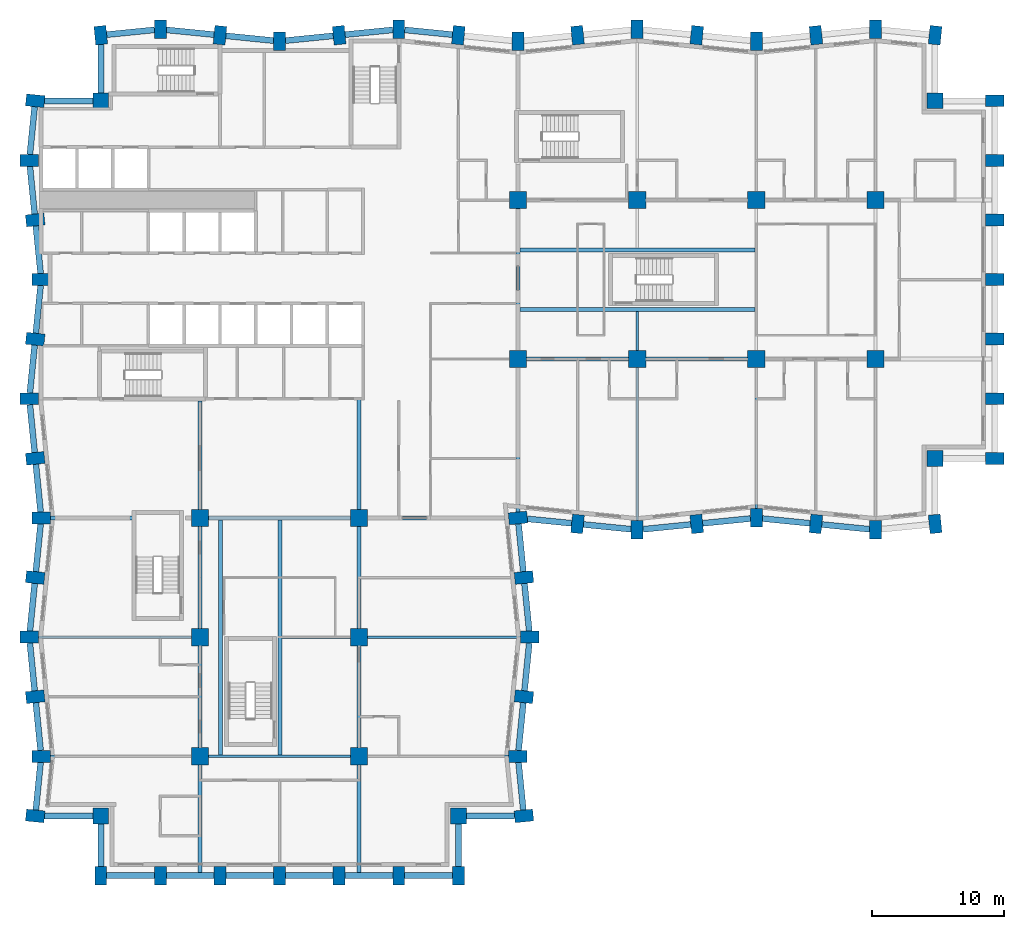
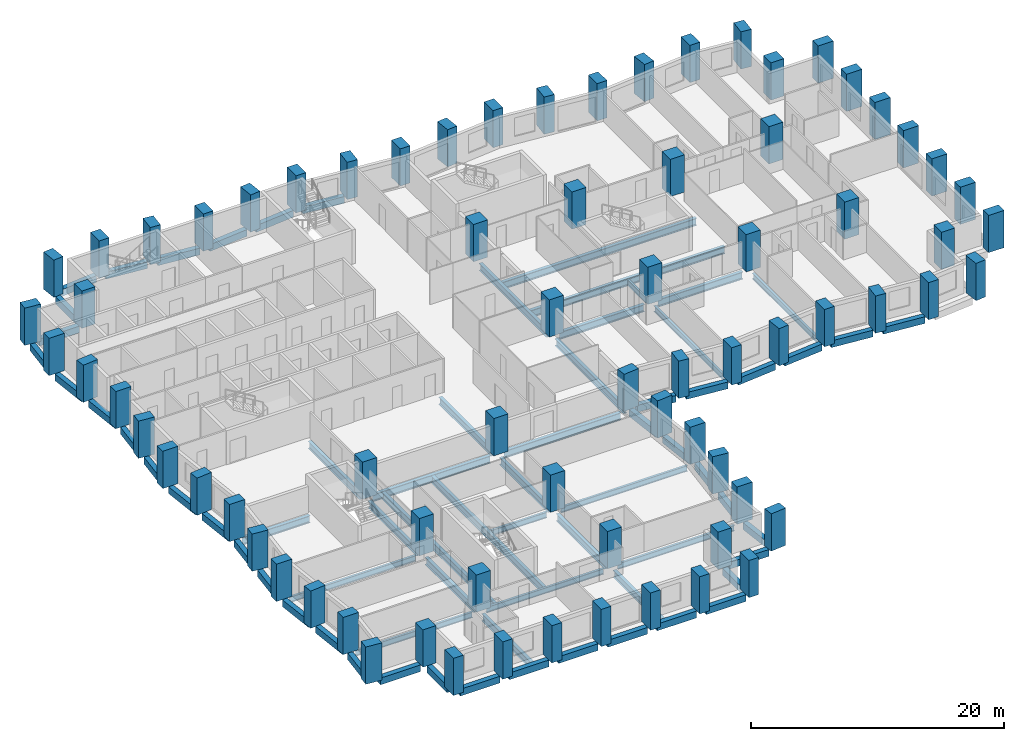
# One storey, part 1 of 13: 74 columns, 69 beams.
"""IFC4 building model written with IfcOpenShell, lengths in metres."""

from ifc_helpers import new_model, si_unit, direction, frame, origin, origin_2d, place, context, subcontext, project, spatial, rectangle, i_section, extrude, material, material_profile, profile_set, type_object, element, save


model = new_model("IFC4")

# Units and contexts
model_context = context("Model", 3, precision=1e-05, world=origin(), true_north=direction((0.0, 1.0)))
body_context = subcontext(model_context, "Body", "Model", "MODEL_VIEW")
ifc_project = project(units=[si_unit("LENGTHUNIT", "METRE"), si_unit("AREAUNIT", "SQUARE_METRE"), si_unit("VOLUMEUNIT", "CUBIC_METRE"), si_unit("PLANEANGLEUNIT", "RADIAN"), si_unit("MASSUNIT", "GRAM", prefix="KILO")], contexts=[model_context])

# Site, building, storey
site_placement = place(None, origin())
site = spatial("IfcSite", under=ifc_project, at=site_placement, CompositionType="ELEMENT")
building_placement = place(site_placement, origin())
building = spatial("IfcBuilding", under=site, at=building_placement, Name="Brondeck Convention Tower", CompositionType="ELEMENT")
storey_placement = place(building_placement, frame((0.0, 0.0, 69.89990234375)))
storey = spatial("IfcBuildingStorey", under=building, at=storey_placement, Name="L15", CompositionType="ELEMENT", Elevation=69.89990234375)

# Columns
ifc_material_1 = material(Name="Concrete C80/95", Category="concrete")
ifc_material_profile_1 = material_profile(ifc_material_1, rectangle(XDim=1.199951171875, YDim=1.199951171875, at=origin_2d()), Name="Corner column 1200x1200 Concrete C80/95")
ifc_profile_set_1 = profile_set([ifc_material_profile_1], Name="Concrete C80/95")
column_type_1 = type_object("IfcColumnType", Name="Corner column 1200x1200 Concrete C80/95", PredefinedType="COLUMN", material=ifc_profile_set_1)
for number, where, z_axis, x_axis, name in (
    (1, (4.5, 4.5, 0.0), (0.0, 0.0, 1.0), (1.0, 0.0, 0.0), "STR-COL-L15-NC-SWB0"),
    (2, (31.5, 4.5, 0.0), (0.0, 0.0, 1.0), (1.0, 0.0, 0.0), "STR-COL-L15-NC-SEB0"),
    (3, (67.5, 31.5, 0.0), (0.0, 0.0, 1.0), (1.0, 0.0, 0.0), "STR-COL-L15-NC-SEA72"),
    (4, (67.5, 58.5, 0.0), (0.0, 0.0, 1.0), (1.0, 0.0, 0.0), "STR-COL-L15-NC-NEA72"),
    (5, (4.5, 58.5, 0.0), (0.0, 0.0, 1.0), (1.0, 0.0, 0.0), "STR-COL-L15-NC-NW"),
):
    element("IfcColumn", number, at=place(storey_placement, frame(where, z_axis=z_axis, x_axis=x_axis)), inside=storey, type_object=column_type_1, Name=name, PredefinedType="COLUMN", context=body_context, shape_type="SweptSolid", body=[
        extrude(rectangle(XDim=1.199951171875, YDim=1.199951171875, at=origin_2d()), origin(), (0.0, 0.0, 1.0), 3.60009765625),
    ])
ifc_material_profile_2 = material_profile(ifc_material_1, rectangle(XDim=1.300048828125, YDim=1.300048828125, at=origin_2d()), Name="Interior column 1300x1300 Concrete C80/95")
ifc_profile_set_2 = profile_set([ifc_material_profile_2], Name="Concrete C80/95")
column_type_2 = type_object("IfcColumnType", Name="Interior column 1300x1300 Concrete C80/95", PredefinedType="COLUMN", material=ifc_profile_set_2)
for number, where, z_axis, x_axis, name in (
    (6, (12.0, 9.0, 0.0), (0.0, 0.0, 1.0), (1.0, 0.0, 0.0), "STR-COL-L15-IC-01"),
    (7, (12.0, 18.0, 0.0), (0.0, 0.0, 1.0), (1.0, 0.0, 0.0), "STR-COL-L15-IC-02"),
    (8, (12.0, 27.0, 0.0), (0.0, 0.0, 1.0), (1.0, 0.0, 0.0), "STR-COL-L15-IC-03"),
    (9, (24.0, 9.0, 0.0), (0.0, 0.0, 1.0), (1.0, 0.0, 0.0), "STR-COL-L15-IC-04"),
    (10, (24.0, 18.0, 0.0), (0.0, 0.0, 1.0), (1.0, 0.0, 0.0), "STR-COL-L15-IC-05"),
    (11, (24.0, 27.0, 0.0), (0.0, 0.0, 1.0), (1.0, 0.0, 0.0), "STR-COL-L15-IC-06"),
    (12, (36.0, 39.0, 0.0), (0.0, 0.0, 1.0), (1.0, 0.0, 0.0), "STR-COL-L15-IC-07"),
    (13, (36.0, 51.0, 0.0), (0.0, 0.0, 1.0), (1.0, 0.0, 0.0), "STR-COL-L15-IC-08"),
    (14, (45.0, 39.0, 0.0), (0.0, 0.0, 1.0), (1.0, 0.0, 0.0), "STR-COL-L15-IC-09"),
    (15, (45.0, 51.0, 0.0), (0.0, 0.0, 1.0), (1.0, 0.0, 0.0), "STR-COL-L15-IC-10"),
    (16, (54.0, 39.0, 0.0), (0.0, 0.0, 1.0), (1.0, 0.0, 0.0), "STR-COL-L15-IC-11"),
    (17, (54.0, 51.0, 0.0), (0.0, 0.0, 1.0), (1.0, 0.0, 0.0), "STR-COL-L15-IC-12"),
    (18, (63.0, 39.0, 0.0), (0.0, 0.0, 1.0), (1.0, 0.0, 0.0), "STR-COL-L15-IC-13"),
    (19, (63.0, 51.0, 0.0), (0.0, 0.0, 1.0), (1.0, 0.0, 0.0), "STR-COL-L15-IC-14"),
):
    element("IfcColumn", number, at=place(storey_placement, frame(where, z_axis=z_axis, x_axis=x_axis)), inside=storey, type_object=column_type_2, Name=name, PredefinedType="COLUMN", context=body_context, shape_type="SweptSolid", body=[
        extrude(rectangle(XDim=1.300048828125, YDim=1.300048828125, at=origin_2d()), origin(), (0.0, 0.0, 1.0), 3.60009765625),
    ])
ifc_material_profile_3 = material_profile(ifc_material_1, rectangle(XDim=0.89990234375, YDim=1.39990234375, at=origin_2d()), Name="Perimeter pier 900x1400 Concrete C80/95")
ifc_profile_set_3 = profile_set([ifc_material_profile_3], Name="Concrete C80/95")
column_type_3 = type_object("IfcColumnType", Name="Perimeter pier 900x1400 Concrete C80/95", PredefinedType="COLUMN", material=ifc_profile_set_3)
for number, where, z_axis, x_axis, name in (
    (20, (4.5, 0.0, 0.0), (0.0, 0.0, 1.0), (1.0, 0.0, 0.0), "STR-COL-L15-PC-B-S0-01"),
    (21, (9.0, 0.0, 0.0), (0.0, 0.0, 1.0), (1.0, 0.0, 0.0), "STR-COL-L15-PC-B-S0-02"),
    (22, (13.5, 0.0, 0.0), (0.0, 0.0, 1.0), (1.0, 0.0, 0.0), "STR-COL-L15-PC-B-S0-03"),
    (23, (18.0, 0.0, 0.0), (0.0, 0.0, 1.0), (1.0, 0.0, 0.0), "STR-COL-L15-PC-B-S0-04"),
    (24, (22.5, 0.0, 0.0), (0.0, 0.0, 1.0), (1.0, 0.0, 0.0), "STR-COL-L15-PC-B-S0-05"),
    (25, (27.0, 0.0, 0.0), (0.0, 0.0, 1.0), (1.0, 0.0, 0.0), "STR-COL-L15-PC-B-S0-06"),
    (26, (31.5, 0.0, 0.0), (0.0, 0.0, 1.0), (1.0, 0.0, 0.0), "STR-COL-L15-PC-B-S0-07"),
    (27, (36.449951171875, 4.5, 0.0), (0.0, 0.0, 1.0), (-0.0995038382, 0.995037178292, 0.0), "STR-COL-L15-PC-B-E-05"),
    (28, (36.0, 9.0, 0.0), (0.0, 0.0, 1.0), (0.0, 1.0, 0.0), "STR-COL-L15-PC-B-E-04"),
    (29, (36.449951171875, 13.5, 0.0), (0.0, 0.0, 1.0), (0.0995038382, 0.995037178292, 0.0), "STR-COL-L15-PC-B-E-03"),
    (30, (36.89990234375, 18.0, 0.0), (0.0, 0.0, 1.0), (0.0, 1.0, 0.0), "STR-COL-L15-PC-B-E-02"),
    (31, (36.449951171875, 22.5, 0.0), (0.0, 0.0, 1.0), (-0.0995038382, 0.995037178292, 0.0), "STR-COL-L15-PC-B-E-01"),
    (32, (36.0, 27.0, 0.0), (0.0, 0.0, 1.0), (-0.0995038382, 0.995037178292, 0.0), "STR-COL-L15-PC-B-E-00"),
    (33, (40.5, 26.550048828125, 0.0), (0.0, 0.0, 1.0), (0.995037178292, -0.0995038382, 0.0), "STR-COL-L15-PC-A-S-01"),
    (34, (45.0, 26.10009765625, 0.0), (0.0, 0.0, 1.0), (1.0, 0.0, 0.0), "STR-COL-L15-PC-A-S-02"),
    (35, (49.5, 26.550048828125, 0.0), (0.0, 0.0, 1.0), (0.995037178292, 0.0995038382, 0.0), "STR-COL-L15-PC-A-S-03"),
    (36, (54.0, 27.0, 0.0), (0.0, 0.0, 1.0), (1.0, 0.0, 0.0), "STR-COL-L15-PC-A-S-04"),
    (37, (58.5, 26.550048828125, 0.0), (0.0, 0.0, 1.0), (0.995037178292, -0.0995038382, 0.0), "STR-COL-L15-PC-A-S-05"),
    (38, (63.0, 26.10009765625, 0.0), (0.0, 0.0, 1.0), (1.0, 0.0, 0.0), "STR-COL-L15-PC-A-S-06"),
    (39, (67.5, 26.550048828125, 0.0), (0.0, 0.0, 1.0), (0.995037178292, 0.0995038382, 0.0), "STR-COL-L15-PC-A-S-07"),
    (40, (72.0, 31.5, 0.0), (0.0, 0.0, 1.0), (0.0, 1.0, 0.0), "STR-COL-L15-PC-A-E72-01"),
    (41, (72.0, 36.0, 0.0), (0.0, 0.0, 1.0), (0.0, 1.0, 0.0), "STR-COL-L15-PC-A-E72-02"),
    (42, (72.0, 40.5, 0.0), (0.0, 0.0, 1.0), (0.0, 1.0, 0.0), "STR-COL-L15-PC-A-E72-03"),
    (43, (72.0, 45.0, 0.0), (0.0, 0.0, 1.0), (0.0, 1.0, 0.0), "STR-COL-L15-PC-A-E72-04"),
    (44, (72.0, 49.5, 0.0), (0.0, 0.0, 1.0), (0.0, 1.0, 0.0), "STR-COL-L15-PC-A-E72-05"),
    (45, (72.0, 54.0, 0.0), (0.0, 0.0, 1.0), (0.0, 1.0, 0.0), "STR-COL-L15-PC-A-E72-06"),
    (46, (72.0, 58.5, 0.0), (0.0, 0.0, 1.0), (0.0, 1.0, 0.0), "STR-COL-L15-PC-A-E72-07"),
    (47, (67.5, 63.449951171875, 0.0), (0.0, 0.0, 1.0), (-0.995037178292, 0.0995038382, 0.0), "STR-COL-L15-PC-A-N-15"),
    (48, (63.0, 63.89990234375, 0.0), (0.0, 0.0, 1.0), (-1.0, 0.0, 0.0), "STR-COL-L15-PC-A-N-14"),
    (49, (58.5, 63.449951171875, 0.0), (0.0, 0.0, 1.0), (-0.995037178292, -0.0995038382, 0.0), "STR-COL-L15-PC-A-N-13"),
    (50, (54.0, 63.0, 0.0), (0.0, 0.0, 1.0), (-1.0, 0.0, 0.0), "STR-COL-L15-PC-A-N-12"),
    (51, (49.5, 63.449951171875, 0.0), (0.0, 0.0, 1.0), (-0.995037178292, 0.0995038382, 0.0), "STR-COL-L15-PC-A-N-11"),
    (52, (45.0, 63.89990234375, 0.0), (0.0, 0.0, 1.0), (-1.0, 0.0, 0.0), "STR-COL-L15-PC-A-N-10"),
    (53, (40.5, 63.449951171875, 0.0), (0.0, 0.0, 1.0), (-0.995037178292, -0.0995038382, 0.0), "STR-COL-L15-PC-A-N-09"),
    (54, (36.0, 63.0, 0.0), (0.0, 0.0, 1.0), (-1.0, 0.0, 0.0), "STR-COL-L15-PC-A-N-08"),
    (55, (31.5, 63.449951171875, 0.0), (0.0, 0.0, 1.0), (-0.995037178292, 0.0995038382, 0.0), "STR-COL-L15-PC-A-N-07"),
    (56, (27.0, 63.89990234375, 0.0), (0.0, 0.0, 1.0), (-1.0, 0.0, 0.0), "STR-COL-L15-PC-A-N-06"),
    (57, (22.5, 63.449951171875, 0.0), (0.0, 0.0, 1.0), (-0.995037178292, -0.0995038382, 0.0), "STR-COL-L15-PC-A-N-05"),
    (58, (18.0, 63.0, 0.0), (0.0, 0.0, 1.0), (-1.0, 0.0, 0.0), "STR-COL-L15-PC-A-N-04"),
    (59, (13.5, 63.449951171875, 0.0), (0.0, 0.0, 1.0), (-0.995037178292, 0.0995038382, 0.0), "STR-COL-L15-PC-A-N-03"),
    (60, (9.0, 63.89990234375, 0.0), (0.0, 0.0, 1.0), (-1.0, 0.0, 0.0), "STR-COL-L15-PC-A-N-02"),
    (61, (4.5, 63.449951171875, 0.0), (0.0, 0.0, 1.0), (-0.995037178292, -0.0995038382, 0.0), "STR-COL-L15-PC-A-N-01"),
    (62, (-0.449951171875, 58.5, 0.0), (0.0, 0.0, 1.0), (-0.0995038382, -0.995037178292, 0.0), "STR-COL-L15-PC-B-W-01"),
    (63, (-0.89990234375, 54.0, 0.0), (0.0, 0.0, 1.0), (0.0, -1.0, 0.0), "STR-COL-L15-PC-B-W-02"),
    (64, (-0.449951171875, 49.5, 0.0), (0.0, 0.0, 1.0), (0.0995038382, -0.995037178292, 0.0), "STR-COL-L15-PC-B-W-03"),
    (65, (0.0, 45.0, 0.0), (0.0, 0.0, 1.0), (0.0, -1.0, 0.0), "STR-COL-L15-PC-B-W-04"),
    (66, (-0.449951171875, 40.5, 0.0), (0.0, 0.0, 1.0), (-0.0995038382, -0.995037178292, 0.0), "STR-COL-L15-PC-B-W-05"),
    (67, (-0.89990234375, 36.0, 0.0), (0.0, 0.0, 1.0), (0.0, -1.0, 0.0), "STR-COL-L15-PC-B-W-06"),
    (68, (-0.449951171875, 31.5, 0.0), (0.0, 0.0, 1.0), (0.0995038382, -0.995037178292, 0.0), "STR-COL-L15-PC-B-W-07"),
    (69, (0.0, 27.0, 0.0), (0.0, 0.0, 1.0), (0.0, -1.0, 0.0), "STR-COL-L15-PC-B-W-08"),
    (70, (-0.449951171875, 22.5, 0.0), (0.0, 0.0, 1.0), (-0.0995038382, -0.995037178292, 0.0), "STR-COL-L15-PC-B-W-09"),
    (71, (-0.89990234375, 18.0, 0.0), (0.0, 0.0, 1.0), (0.0, -1.0, 0.0), "STR-COL-L15-PC-B-W-10"),
    (72, (-0.449951171875, 13.5, 0.0), (0.0, 0.0, 1.0), (0.0995038382, -0.995037178292, 0.0), "STR-COL-L15-PC-B-W-11"),
    (73, (0.0, 9.0, 0.0), (0.0, 0.0, 1.0), (0.0, -1.0, 0.0), "STR-COL-L15-PC-B-W-12"),
    (74, (-0.449951171875, 4.5, 0.0), (0.0, 0.0, 1.0), (-0.0995038382, -0.995037178292, 0.0), "STR-COL-L15-PC-B-W-13"),
):
    element("IfcColumn", number, at=place(storey_placement, frame(where, z_axis=z_axis, x_axis=x_axis)), inside=storey, type_object=column_type_3, Name=name, PredefinedType="COLUMN", context=body_context, shape_type="SweptSolid", body=[
        extrude(rectangle(XDim=0.89990234375, YDim=1.39990234375, at=origin_2d()), origin(), (0.0, 0.0, 1.0), 3.60009765625),
    ])

# Beams
ifc_material_2 = material(Name="Steel S355", Category="steel")
ifc_material_profile_4 = material_profile(ifc_material_2, i_section(OverallWidth=0.2099609375, OverallDepth=0.550048828125, WebThickness=0.010986328125, FlangeThickness=0.01708984375, FilletRadius=0.02392578125, at=origin_2d()), Name="IPE 550")
ifc_profile_set_4 = profile_set([ifc_material_profile_4], Name="Steel S355")
beam_type_1 = type_object("IfcBeamType", Name="Floor beam IPE 550", PredefinedType="BEAM", material=ifc_profile_set_4)
beam_1_placement = place(storey_placement, frame((45.0, 26.800048828125, -0.574951171875), z_axis=(0.0, 1.0, 0.0), x_axis=(-1.0, 0.0, 0.0)))
element("IfcBeam", 75, at=beam_1_placement, inside=storey, type_object=beam_type_1, Name="STR-FB-L15-001", PredefinedType="BEAM", context=body_context, shape_type="SweptSolid", body=[
    extrude(i_section(OverallWidth=0.2099609375, OverallDepth=0.550048828125, WebThickness=0.010986328125, FlangeThickness=0.01708984375, FilletRadius=0.02392578125, at=origin_2d()), origin(), (0.0, 0.0, 1.0), 11.550048828125),
])
for number, where, z_axis, x_axis, name in (
    (76, (54.0, 27.699951171875, -0.574951171875), (0.0, 1.0, 0.0), (-1.0, 0.0, 0.0), "STR-FB-L15-003"),
    (77, (0.699951171875, 9.0, -0.574951171875), (1.0, 0.0, 0.0), (0.0, 1.0, 0.0), "STR-FB-L15-009"),
):
    element("IfcBeam", number, at=place(storey_placement, frame(where, z_axis=z_axis, x_axis=x_axis)), inside=storey, type_object=beam_type_1, Name=name, PredefinedType="BEAM", context=body_context, shape_type="SweptSolid", body=[
        extrude(i_section(OverallWidth=0.2099609375, OverallDepth=0.550048828125, WebThickness=0.010986328125, FlangeThickness=0.01708984375, FilletRadius=0.02392578125, at=origin_2d()), origin(), (0.0, 0.0, 1.0), 10.650146484375),
    ])
beam_2_placement = place(storey_placement, frame((12.64990234375, 9.0, -0.574951171875), z_axis=(1.0, 0.0, 0.0), x_axis=(0.0, 1.0, 0.0)))
element("IfcBeam", 78, at=beam_2_placement, inside=storey, type_object=beam_type_1, Name="STR-FB-L15-010", PredefinedType="BEAM", context=body_context, shape_type="SweptSolid", body=[
    extrude(i_section(OverallWidth=0.2099609375, OverallDepth=0.550048828125, WebThickness=0.010986328125, FlangeThickness=0.01708984375, FilletRadius=0.02392578125, at=origin_2d()), origin(), (0.0, 0.0, 1.0), 10.7001953125),
])
beam_3_placement = place(storey_placement, frame((24.64990234375, 9.0, -0.574951171875), z_axis=(1.0, 0.0, 0.0), x_axis=(0.0, 1.0, 0.0)))
element("IfcBeam", 79, at=beam_3_placement, inside=storey, type_object=beam_type_1, Name="STR-FB-L15-011", PredefinedType="BEAM", context=body_context, shape_type="SweptSolid", body=[
    extrude(i_section(OverallWidth=0.2099609375, OverallDepth=0.550048828125, WebThickness=0.010986328125, FlangeThickness=0.01708984375, FilletRadius=0.02392578125, at=origin_2d()), origin(), (0.0, 0.0, 1.0), 10.650146484375),
])
for number, where, z_axis, x_axis, name in (
    (80, (-0.199951171875, 18.0, -0.574951171875), (1.0, 0.0, 0.0), (0.0, 1.0, 0.0), "STR-FB-L15-012"),
    (81, (24.64990234375, 18.0, -0.574951171875), (1.0, 0.0, 0.0), (0.0, 1.0, 0.0), "STR-FB-L15-013"),
):
    element("IfcBeam", number, at=place(storey_placement, frame(where, z_axis=z_axis, x_axis=x_axis)), inside=storey, type_object=beam_type_1, Name=name, PredefinedType="BEAM", context=body_context, shape_type="SweptSolid", body=[
        extrude(i_section(OverallWidth=0.2099609375, OverallDepth=0.550048828125, WebThickness=0.010986328125, FlangeThickness=0.01708984375, FilletRadius=0.02392578125, at=origin_2d()), origin(), (0.0, 0.0, 1.0), 11.550048828125),
    ])
beam_4_placement = place(storey_placement, frame((45.0, 39.64990234375, -0.574951171875), z_axis=(0.0, 1.0, 0.0), x_axis=(-1.0, 0.0, 0.0)))
element("IfcBeam", 82, at=beam_4_placement, inside=storey, type_object=beam_type_1, Name="STR-FB-L15-014", PredefinedType="BEAM", context=body_context, shape_type="SweptSolid", body=[
    extrude(i_section(OverallWidth=0.2099609375, OverallDepth=0.550048828125, WebThickness=0.010986328125, FlangeThickness=0.01708984375, FilletRadius=0.02392578125, at=origin_2d()), origin(), (0.0, 0.0, 1.0), 2.9501953125),
])
beam_5_placement = place(storey_placement, frame((18.199951171875, 18.0, -0.574951171875), z_axis=(1.0, 0.0, 0.0), x_axis=(0.0, 1.0, 0.0)))
element("IfcBeam", 83, at=beam_5_placement, inside=storey, type_object=beam_type_1, Name="STR-FB-L15-016", PredefinedType="BEAM", context=body_context, shape_type="SweptSolid", body=[
    extrude(i_section(OverallWidth=0.2099609375, OverallDepth=0.550048828125, WebThickness=0.010986328125, FlangeThickness=0.01708984375, FilletRadius=0.02392578125, at=origin_2d()), origin(), (0.0, 0.0, 1.0), 5.150146484375),
])
ifc_material_profile_5 = material_profile(ifc_material_2, i_section(OverallWidth=0.300048828125, OverallDepth=0.699951171875, WebThickness=0.01708984375, FlangeThickness=0.031982421875, FilletRadius=0.027099609375, at=origin_2d()), Name="HEB 700")
ifc_profile_set_5 = profile_set([ifc_material_profile_5], Name="Steel S355")
beam_type_2 = type_object("IfcBeamType", Name="Girder HEB 700", PredefinedType="BEAM", material=ifc_profile_set_5)
for number, where, z_axis, x_axis, name in (
    (84, (36.64990234375, 39.0, -0.64990234375), (1.0, 0.0, 0.0), (0.0, 1.0, 0.0), "STR-GR-L15-001"),
    (85, (45.64990234375, 39.0, -0.64990234375), (1.0, 0.0, 0.0), (0.0, 1.0, 0.0), "STR-GR-L15-002"),
):
    element("IfcBeam", number, at=place(storey_placement, frame(where, z_axis=z_axis, x_axis=x_axis)), inside=storey, type_object=beam_type_2, Name=name, PredefinedType="BEAM", context=body_context, shape_type="SweptSolid", body=[
        extrude(i_section(OverallWidth=0.300048828125, OverallDepth=0.699951171875, WebThickness=0.01708984375, FlangeThickness=0.031982421875, FilletRadius=0.027099609375, at=origin_2d()), origin(), (0.0, 0.0, 1.0), 7.7001953125),
    ])
beam_6_placement = place(storey_placement, frame((36.0, 27.4521484375, -0.64990234375), z_axis=(0.0, 1.0, 0.0), x_axis=(-1.0, 0.0, 0.0)))
element("IfcBeam", 86, at=beam_6_placement, inside=storey, type_object=beam_type_2, Name="STR-GR-L15-009", PredefinedType="BEAM", context=body_context, shape_type="SweptSolid", body=[
    extrude(i_section(OverallWidth=0.300048828125, OverallDepth=0.699951171875, WebThickness=0.01708984375, FlangeThickness=0.031982421875, FilletRadius=0.027099609375, at=origin_2d()), origin(), (0.0, 0.0, 1.0), 10.89794921875),
])
beam_7_placement = place(storey_placement, frame((36.0, 39.64990234375, -0.64990234375), z_axis=(0.0, 1.0, 0.0), x_axis=(-1.0, 0.0, 0.0)))
element("IfcBeam", 87, at=beam_7_placement, inside=storey, type_object=beam_type_2, Name="STR-GR-L15-010", PredefinedType="BEAM", context=body_context, shape_type="SweptSolid", body=[
    extrude(i_section(OverallWidth=0.300048828125, OverallDepth=0.699951171875, WebThickness=0.01708984375, FlangeThickness=0.031982421875, FilletRadius=0.027099609375, at=origin_2d()), origin(), (0.0, 0.0, 1.0), 10.7001953125),
])
beam_8_placement = place(storey_placement, frame((12.0, 35.85009765625, -0.64990234375), z_axis=(0.0, -1.0, 0.0), x_axis=(1.0, 0.0, 0.0)))
element("IfcBeam", 88, at=beam_8_placement, inside=storey, type_object=beam_type_2, Name="STR-GR-L15-013", PredefinedType="BEAM", context=body_context, shape_type="SweptSolid", body=[
    extrude(i_section(OverallWidth=0.300048828125, OverallDepth=0.699951171875, WebThickness=0.01708984375, FlangeThickness=0.031982421875, FilletRadius=0.027099609375, at=origin_2d()), origin(), (0.0, 0.0, 1.0), 8.2001953125),
])
for number, where, z_axis, x_axis, name in (
    (89, (12.0, 26.35009765625, -0.64990234375), (0.0, -1.0, 0.0), (1.0, 0.0, 0.0), "STR-GR-L15-014"),
    (90, (12.0, 17.35009765625, -0.64990234375), (0.0, -1.0, 0.0), (1.0, 0.0, 0.0), "STR-GR-L15-015"),
):
    element("IfcBeam", number, at=place(storey_placement, frame(where, z_axis=z_axis, x_axis=x_axis)), inside=storey, type_object=beam_type_2, Name=name, PredefinedType="BEAM", context=body_context, shape_type="SweptSolid", body=[
        extrude(i_section(OverallWidth=0.300048828125, OverallDepth=0.699951171875, WebThickness=0.01708984375, FlangeThickness=0.031982421875, FilletRadius=0.027099609375, at=origin_2d()), origin(), (0.0, 0.0, 1.0), 7.7001953125),
    ])
beam_9_placement = place(storey_placement, frame((12.0, 8.35009765625, -0.64990234375), z_axis=(0.0, -1.0, 0.0), x_axis=(1.0, 0.0, 0.0)))
element("IfcBeam", 91, at=beam_9_placement, inside=storey, type_object=beam_type_2, Name="STR-GR-L15-016", PredefinedType="BEAM", context=body_context, shape_type="SweptSolid", body=[
    extrude(i_section(OverallWidth=0.300048828125, OverallDepth=0.699951171875, WebThickness=0.01708984375, FlangeThickness=0.031982421875, FilletRadius=0.027099609375, at=origin_2d()), origin(), (0.0, 0.0, 1.0), 8.125),
])
beam_10_placement = place(storey_placement, frame((24.0, 35.955078125, -0.64990234375), z_axis=(0.0, -1.0, 0.0), x_axis=(1.0, 0.0, 0.0)))
element("IfcBeam", 92, at=beam_10_placement, inside=storey, type_object=beam_type_2, Name="STR-GR-L15-017", PredefinedType="BEAM", context=body_context, shape_type="SweptSolid", body=[
    extrude(i_section(OverallWidth=0.300048828125, OverallDepth=0.699951171875, WebThickness=0.01708984375, FlangeThickness=0.031982421875, FilletRadius=0.027099609375, at=origin_2d()), origin(), (0.0, 0.0, 1.0), 8.30517578125),
])
for number, where, z_axis, x_axis, name in (
    (93, (24.0, 26.35009765625, -0.64990234375), (0.0, -1.0, 0.0), (1.0, 0.0, 0.0), "STR-GR-L15-018"),
    (94, (24.0, 17.35009765625, -0.64990234375), (0.0, -1.0, 0.0), (1.0, 0.0, 0.0), "STR-GR-L15-019"),
):
    element("IfcBeam", number, at=place(storey_placement, frame(where, z_axis=z_axis, x_axis=x_axis)), inside=storey, type_object=beam_type_2, Name=name, PredefinedType="BEAM", context=body_context, shape_type="SweptSolid", body=[
        extrude(i_section(OverallWidth=0.300048828125, OverallDepth=0.699951171875, WebThickness=0.01708984375, FlangeThickness=0.031982421875, FilletRadius=0.027099609375, at=origin_2d()), origin(), (0.0, 0.0, 1.0), 7.7001953125),
    ])
beam_11_placement = place(storey_placement, frame((24.0, 8.35009765625, -0.64990234375), z_axis=(0.0, -1.0, 0.0), x_axis=(1.0, 0.0, 0.0)))
element("IfcBeam", 95, at=beam_11_placement, inside=storey, type_object=beam_type_2, Name="STR-GR-L15-020", PredefinedType="BEAM", context=body_context, shape_type="SweptSolid", body=[
    extrude(i_section(OverallWidth=0.300048828125, OverallDepth=0.699951171875, WebThickness=0.01708984375, FlangeThickness=0.031982421875, FilletRadius=0.027099609375, at=origin_2d()), origin(), (0.0, 0.0, 1.0), 8.125),
])
beam_12_placement = place(storey_placement, frame((0.699951171875, 27.0, -0.64990234375), z_axis=(1.0, 0.0, 0.0), x_axis=(0.0, 1.0, 0.0)))
element("IfcBeam", 96, at=beam_12_placement, inside=storey, type_object=beam_type_2, Name="STR-GR-L15-021", PredefinedType="BEAM", context=body_context, shape_type="SweptSolid", body=[
    extrude(i_section(OverallWidth=0.300048828125, OverallDepth=0.699951171875, WebThickness=0.01708984375, FlangeThickness=0.031982421875, FilletRadius=0.027099609375, at=origin_2d()), origin(), (0.0, 0.0, 1.0), 6.179931640625),
])
beam_13_placement = place(storey_placement, frame((12.64990234375, 27.0, -0.64990234375), z_axis=(1.0, 0.0, 0.0), x_axis=(0.0, 1.0, 0.0)))
element("IfcBeam", 97, at=beam_13_placement, inside=storey, type_object=beam_type_2, Name="STR-GR-L15-022", PredefinedType="BEAM", context=body_context, shape_type="SweptSolid", body=[
    extrude(i_section(OverallWidth=0.300048828125, OverallDepth=0.699951171875, WebThickness=0.01708984375, FlangeThickness=0.031982421875, FilletRadius=0.027099609375, at=origin_2d()), origin(), (0.0, 0.0, 1.0), 10.7001953125),
])
beam_14_placement = place(storey_placement, frame((24.64990234375, 27.0, -0.64990234375), z_axis=(1.0, 0.0, 0.0), x_axis=(0.0, 1.0, 0.0)))
element("IfcBeam", 98, at=beam_14_placement, inside=storey, type_object=beam_type_2, Name="STR-GR-L15-023", PredefinedType="BEAM", context=body_context, shape_type="SweptSolid", body=[
    extrude(i_section(OverallWidth=0.300048828125, OverallDepth=0.699951171875, WebThickness=0.01708984375, FlangeThickness=0.031982421875, FilletRadius=0.027099609375, at=origin_2d()), origin(), (0.0, 0.0, 1.0), 10.646484375),
])
for number, where, z_axis, x_axis, name in (
    (99, (36.14990234375, 42.75, -0.64990234375), (1.0, 0.0, 0.0), (0.0, 1.0, 0.0), "STR-GR-L15-024"),
    (100, (36.14990234375, 47.25, -0.64990234375), (1.0, 0.0, 0.0), (0.0, 1.0, 0.0), "STR-GR-L15-025"),
    (101, (13.550048828125, 9.10498046875, -0.64990234375), (0.0, 1.0, 0.0), (-1.0, 0.0, 0.0), "STR-GR-L15-026"),
    (102, (18.050048828125, 9.10498046875, -0.64990234375), (0.0, 1.0, 0.0), (-1.0, 0.0, 0.0), "STR-GR-L15-027"),
):
    element("IfcBeam", number, at=place(storey_placement, frame(where, z_axis=z_axis, x_axis=x_axis)), inside=storey, type_object=beam_type_2, Name=name, PredefinedType="BEAM", context=body_context, shape_type="SweptSolid", body=[
        extrude(i_section(OverallWidth=0.300048828125, OverallDepth=0.699951171875, WebThickness=0.01708984375, FlangeThickness=0.031982421875, FilletRadius=0.027099609375, at=origin_2d()), origin(), (0.0, 0.0, 1.0), 17.7451171875),
    ])
ifc_material_profile_6 = material_profile(ifc_material_1, rectangle(XDim=0.449951171875, YDim=0.64990234375, at=origin_2d()), Name="Precast spandrel 450x650 Concrete C80/95")
ifc_profile_set_6 = profile_set([ifc_material_profile_6], Name="Concrete C80/95")
beam_type_3 = type_object("IfcBeamType", Name="Precast spandrel 450x650 Concrete C80/95", PredefinedType="SPANDREL", material=ifc_profile_set_6)
for number, where, z_axis, x_axis, name in (
    (103, (4.949951171875, 0.0, -0.324951171875), (1.0, 0.0, 0.0), (0.0, 1.0, 0.0), "STR-SP-L15-001"),
    (104, (9.449951171875, 0.0, -0.324951171875), (1.0, 0.0, 0.0), (0.0, 1.0, 0.0), "STR-SP-L15-002"),
    (105, (13.949951171875, 0.0, -0.324951171875), (1.0, 0.0, 0.0), (0.0, 1.0, 0.0), "STR-SP-L15-003"),
    (106, (18.449951171875, 0.0, -0.324951171875), (1.0, 0.0, 0.0), (0.0, 1.0, 0.0), "STR-SP-L15-004"),
    (107, (22.949951171875, 0.0, -0.324951171875), (1.0, 0.0, 0.0), (0.0, 1.0, 0.0), "STR-SP-L15-005"),
    (108, (27.449951171875, 0.0, -0.324951171875), (1.0, 0.0, 0.0), (0.0, 1.0, 0.0), "STR-SP-L15-006"),
):
    element("IfcBeam", number, at=place(storey_placement, frame(where, z_axis=z_axis, x_axis=x_axis)), inside=storey, type_object=beam_type_3, Name=name, PredefinedType="SPANDREL", context=body_context, shape_type="SweptSolid", body=[
        extrude(rectangle(XDim=0.449951171875, YDim=0.64990234375, at=origin_2d()), origin(), (0.0, 0.0, 1.0), 3.60009765625),
    ])
beam_15_placement = place(storey_placement, frame((31.5, 0.699951171875, -0.324951171875), z_axis=(0.0, 1.0, 0.0), x_axis=(-1.0, 0.0, 0.0)))
element("IfcBeam", 109, at=beam_15_placement, inside=storey, type_object=beam_type_3, Name="STR-SP-L15-007", PredefinedType="SPANDREL", context=body_context, shape_type="SweptSolid", body=[
    extrude(rectangle(XDim=0.449951171875, YDim=0.64990234375, at=origin_2d()), origin(), (0.0, 0.0, 1.0), 3.199951171875),
])
beam_16_placement = place(storey_placement, frame((32.10009765625, 4.5, -0.324951171875), z_axis=(1.0, 0.0, 0.0), x_axis=(0.0, 1.0, 0.0)))
element("IfcBeam", 110, at=beam_16_placement, inside=storey, type_object=beam_type_3, Name="STR-SP-L15-008", PredefinedType="SPANDREL", context=body_context, shape_type="SweptSolid", body=[
    extrude(rectangle(XDim=0.449951171875, YDim=0.64990234375, at=origin_2d()), origin(), (0.0, 0.0, 1.0), 3.646484375),
])
for number, where, z_axis, x_axis, name in (
    (111, (36.4052734375, 4.94775390625, -0.324951171875), (-0.099537103649, 0.995033851182, 0.0), (-0.995033851182, -0.099537103649, 0.0), "STR-SP-L15-009"),
    (112, (36.044921875, 9.449951171875, -0.324951171875), (0.099537103649, 0.995033851182, 0.0), (-0.995033851182, 0.099537103649, 0.0), "STR-SP-L15-010"),
    (113, (36.494873046875, 13.94775390625, -0.324951171875), (0.099470334057, 0.995040528141, 0.0), (-0.995040528141, 0.099470334057, 0.0), "STR-SP-L15-011"),
    (114, (36.85498046875, 18.449951171875, -0.324951171875), (-0.099470334057, 0.995040528141, 0.0), (-0.995040528141, -0.099470334057, 0.0), "STR-SP-L15-012"),
):
    element("IfcBeam", number, at=place(storey_placement, frame(where, z_axis=z_axis, x_axis=x_axis)), inside=storey, type_object=beam_type_3, Name=name, PredefinedType="SPANDREL", context=body_context, shape_type="SweptSolid", body=[
        extrude(rectangle(XDim=0.449951171875, YDim=0.64990234375, at=origin_2d()), origin(), (0.0, 0.0, 1.0), 3.620361328125),
    ])
beam_17_placement = place(storey_placement, frame((36.4052734375, 22.94775390625, -0.324951171875), z_axis=(-0.099543756114, 0.995033185687, 0.0), x_axis=(-0.995033185687, -0.099543756114, 0.0)))
element("IfcBeam", 115, at=beam_17_placement, inside=storey, type_object=beam_type_3, Name="STR-SP-L15-013", PredefinedType="SPANDREL", context=body_context, shape_type="SweptSolid", body=[
    extrude(rectangle(XDim=0.449951171875, YDim=0.64990234375, at=origin_2d()), origin(), (0.0, 0.0, 1.0), 3.62255859375),
])
beam_18_placement = place(storey_placement, frame((36.710693359375, 26.928955078125, -0.324951171875), z_axis=(0.995035030591, -0.099525312843, 0.0), x_axis=(0.099525312843, 0.995035030591, 0.0)))
element("IfcBeam", 116, at=beam_18_placement, inside=storey, type_object=beam_type_3, Name="STR-SP-L15-014", PredefinedType="SPANDREL", context=body_context, shape_type="SweptSolid", body=[
    extrude(rectangle(XDim=0.449951171875, YDim=0.64990234375, at=origin_2d()), origin(), (0.0, 0.0, 1.0), 3.358154296875),
])
for number, where, z_axis, x_axis, name in (
    (117, (40.94775390625, 26.505126953125, -0.324951171875), (0.995040528141, -0.099470334057, 0.0), (0.099470334057, 0.995040528141, 0.0), "STR-SP-L15-015"),
    (118, (45.449951171875, 26.14501953125, -0.324951171875), (0.995040528141, 0.099470334057, 0.0), (-0.099470334057, 0.995040528141, 0.0), "STR-SP-L15-016"),
    (119, (49.94775390625, 26.5947265625, -0.324951171875), (0.995033851182, 0.099537103649, 0.0), (-0.099537103649, 0.995033851182, 0.0), "STR-SP-L15-017"),
    (120, (54.449951171875, 26.955078125, -0.324951171875), (0.995033851182, -0.099537103649, 0.0), (0.099537103649, 0.995033851182, 0.0), "STR-SP-L15-018"),
    (121, (58.94775390625, 26.505126953125, -0.324951171875), (0.995040528141, -0.099470334057, 0.0), (0.099470334057, 0.995040528141, 0.0), "STR-SP-L15-019"),
    (122, (31.05224609375, 63.494873046875, -0.324951171875), (-0.995040528141, 0.099470334057, 0.0), (-0.099470334057, -0.995040528141, 0.0), "STR-SP-L15-039"),
    (123, (26.550048828125, 63.85498046875, -0.324951171875), (-0.995040528141, -0.099470334057, 0.0), (0.099470334057, -0.995040528141, 0.0), "STR-SP-L15-040"),
    (124, (22.05224609375, 63.4052734375, -0.324951171875), (-0.995033851182, -0.099537103649, 0.0), (0.099537103649, -0.995033851182, 0.0), "STR-SP-L15-041"),
    (125, (17.550048828125, 63.044921875, -0.324951171875), (-0.995033851182, 0.099537103649, 0.0), (-0.099537103649, -0.995033851182, 0.0), "STR-SP-L15-042"),
    (126, (13.05224609375, 63.494873046875, -0.324951171875), (-0.995040528141, 0.099470334057, 0.0), (-0.099470334057, -0.995040528141, 0.0), "STR-SP-L15-043"),
    (127, (8.550048828125, 63.85498046875, -0.324951171875), (-0.995040528141, -0.099470334057, 0.0), (0.099470334057, -0.995040528141, 0.0), "STR-SP-L15-044"),
):
    element("IfcBeam", number, at=place(storey_placement, frame(where, z_axis=z_axis, x_axis=x_axis)), inside=storey, type_object=beam_type_3, Name=name, PredefinedType="SPANDREL", context=body_context, shape_type="SweptSolid", body=[
        extrude(rectangle(XDim=0.449951171875, YDim=0.64990234375, at=origin_2d()), origin(), (0.0, 0.0, 1.0), 3.620361328125),
    ])
for number, where, z_axis, x_axis, name in (
    (128, (4.5, 62.74658203125, -0.324951171875), (0.0, -1.0, 0.0), (1.0, 0.0, 0.0), "STR-SP-L15-045"),
    (129, (3.89990234375, 58.5, -0.324951171875), (-1.0, 0.0, 0.0), (0.0, -1.0, 0.0), "STR-SP-L15-046"),
):
    element("IfcBeam", number, at=place(storey_placement, frame(where, z_axis=z_axis, x_axis=x_axis)), inside=storey, type_object=beam_type_3, Name=name, PredefinedType="SPANDREL", context=body_context, shape_type="SweptSolid", body=[
        extrude(rectangle(XDim=0.449951171875, YDim=0.64990234375, at=origin_2d()), origin(), (0.0, 0.0, 1.0), 3.646484375),
    ])
for number, where, z_axis, x_axis, name in (
    (130, (-0.494873046875, 58.05224609375, -0.324951171875), (-0.099470334057, -0.995040528141, 0.0), (0.995040528141, -0.099470334057, 0.0), "STR-SP-L15-047"),
    (131, (-0.85498046875, 53.550048828125, -0.324951171875), (0.099470334057, -0.995040528141, 0.0), (0.995040528141, 0.099470334057, 0.0), "STR-SP-L15-048"),
    (132, (-0.4052734375, 49.05224609375, -0.324951171875), (0.099537103649, -0.995033851182, 0.0), (0.995033851182, 0.099537103649, 0.0), "STR-SP-L15-049"),
    (133, (-0.044921875, 44.550048828125, -0.324951171875), (-0.099537103649, -0.995033851182, 0.0), (0.995033851182, -0.099537103649, 0.0), "STR-SP-L15-050"),
    (134, (-0.494873046875, 40.05224609375, -0.324951171875), (-0.099470334057, -0.995040528141, 0.0), (0.995040528141, -0.099470334057, 0.0), "STR-SP-L15-051"),
    (135, (-0.85498046875, 35.550048828125, -0.324951171875), (0.099470334057, -0.995040528141, 0.0), (0.995040528141, 0.099470334057, 0.0), "STR-SP-L15-052"),
    (136, (-0.4052734375, 31.05224609375, -0.324951171875), (0.099537103649, -0.995033851182, 0.0), (0.995033851182, 0.099537103649, 0.0), "STR-SP-L15-053"),
    (137, (-0.044921875, 26.550048828125, -0.324951171875), (-0.099537103649, -0.995033851182, 0.0), (0.995033851182, -0.099537103649, 0.0), "STR-SP-L15-054"),
    (138, (-0.494873046875, 22.05224609375, -0.324951171875), (-0.099470334057, -0.995040528141, 0.0), (0.995040528141, -0.099470334057, 0.0), "STR-SP-L15-055"),
    (139, (-0.85498046875, 17.550048828125, -0.324951171875), (0.099470334057, -0.995040528141, 0.0), (0.995040528141, 0.099470334057, 0.0), "STR-SP-L15-056"),
    (140, (-0.4052734375, 13.05224609375, -0.324951171875), (0.099537103649, -0.995033851182, 0.0), (0.995033851182, 0.099537103649, 0.0), "STR-SP-L15-057"),
    (141, (-0.044921875, 8.550048828125, -0.324951171875), (-0.099537103649, -0.995033851182, 0.0), (0.995033851182, -0.099537103649, 0.0), "STR-SP-L15-058"),
):
    element("IfcBeam", number, at=place(storey_placement, frame(where, z_axis=z_axis, x_axis=x_axis)), inside=storey, type_object=beam_type_3, Name=name, PredefinedType="SPANDREL", context=body_context, shape_type="SweptSolid", body=[
        extrude(rectangle(XDim=0.449951171875, YDim=0.64990234375, at=origin_2d()), origin(), (0.0, 0.0, 1.0), 3.620361328125),
    ])
beam_19_placement = place(storey_placement, frame((0.25341796875, 4.5, -0.324951171875), z_axis=(1.0, 0.0, 0.0), x_axis=(0.0, 1.0, 0.0)))
element("IfcBeam", 142, at=beam_19_placement, inside=storey, type_object=beam_type_3, Name="STR-SP-L15-059", PredefinedType="SPANDREL", context=body_context, shape_type="SweptSolid", body=[
    extrude(rectangle(XDim=0.449951171875, YDim=0.64990234375, at=origin_2d()), origin(), (0.0, 0.0, 1.0), 3.646484375),
])
beam_20_placement = place(storey_placement, frame((4.5, 3.89990234375, -0.324951171875), z_axis=(0.0, -1.0, 0.0), x_axis=(1.0, 0.0, 0.0)))
element("IfcBeam", 143, at=beam_20_placement, inside=storey, type_object=beam_type_3, Name="STR-SP-L15-060", PredefinedType="SPANDREL", context=body_context, shape_type="SweptSolid", body=[
    extrude(rectangle(XDim=0.449951171875, YDim=0.64990234375, at=origin_2d()), origin(), (0.0, 0.0, 1.0), 3.199951171875),
])

save(model, "model.ifc")
